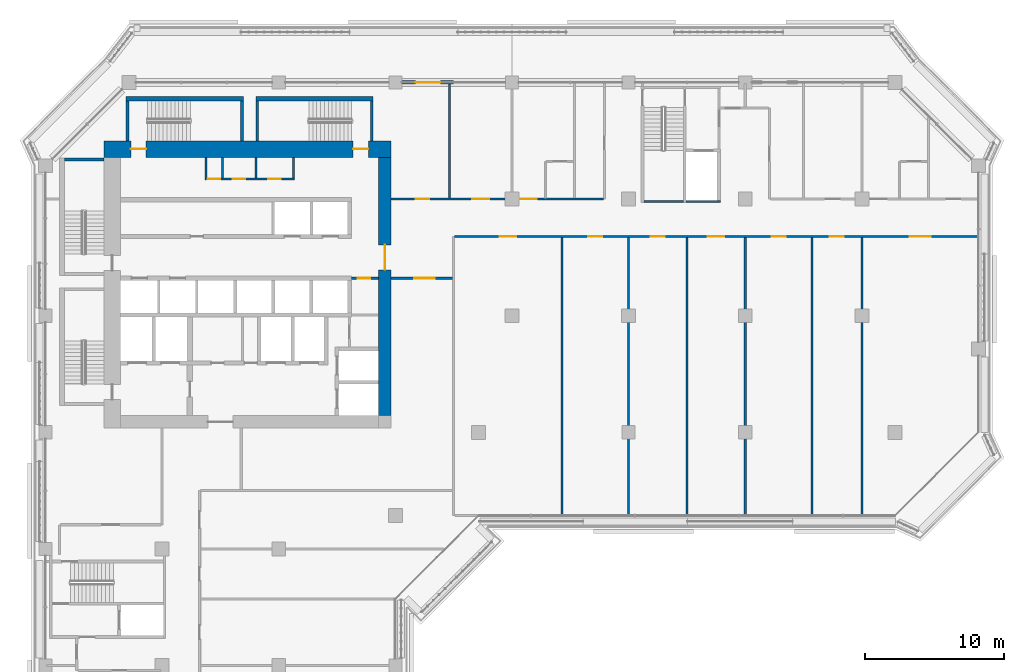
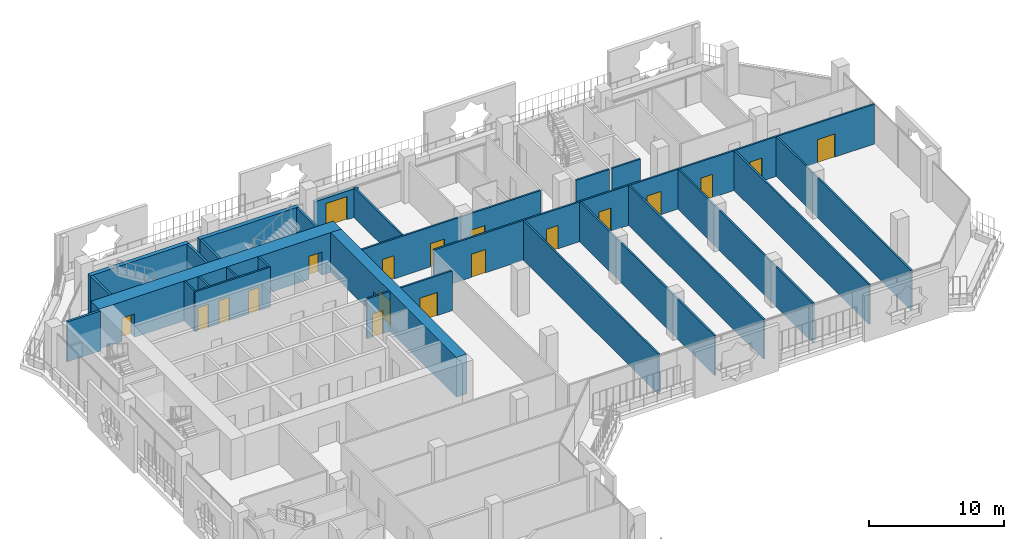
# One storey, part 12 of 22: 28 walls, 19 doors, 19 openings.
"""IFC4 building model written with IfcOpenShell, lengths in metres."""

from ifc_helpers import new_model, si_unit, direction, frame, frame_2d, origin, place, context, subcontext, project, spatial, rectangle, extrude, material, layer, layer_set, type_object, element, fill, save


model = new_model("IFC4")

# Units and contexts
model_context = context("Model", 3, precision=1e-05, world=origin(), true_north=direction((0.0, 1.0)))
body_context = subcontext(model_context, "Body", "Model", "MODEL_VIEW")
ifc_project = project(units=[si_unit("LENGTHUNIT", "METRE"), si_unit("AREAUNIT", "SQUARE_METRE"), si_unit("VOLUMEUNIT", "CUBIC_METRE"), si_unit("PLANEANGLEUNIT", "RADIAN"), si_unit("MASSUNIT", "GRAM", prefix="KILO")], contexts=[model_context])

# Site, building, storey
site_placement = place(None, origin())
site = spatial("IfcSite", under=ifc_project, at=site_placement, CompositionType="ELEMENT")
building_placement = place(site_placement, origin())
building = spatial("IfcBuilding", under=site, at=building_placement, Name="Kawkab Arch Medical Tower", CompositionType="ELEMENT")
storey_placement = place(building_placement, frame((0.0, 0.0, 179.39990234375)))
storey = spatial("IfcBuildingStorey", under=building, at=storey_placement, Name="L41", CompositionType="ELEMENT", Elevation=179.39990234375)

# Wall, openings, doors
ifc_material_1 = material(Name="Concrete C55/67", Category="concrete")
ifc_layer_1 = layer(ifc_material_1, 1.199951171875)
ifc_layer_set_1 = layer_set([ifc_layer_1], Name="Concrete C55/67")
wall_type_1 = type_object("IfcWallType", Name="Core ring wall 1200 C55/67", PredefinedType="SHEAR", material=ifc_layer_set_1)
wall_1_placement = place(storey_placement, frame((4.199951171875, -4.800048828125, 0.0), z_axis=(0.0, 0.0, 1.0), x_axis=(1.0, 0.0, 0.0)))
wall_1 = element("IfcWall", 1, at=wall_1_placement, inside=storey, type_object=wall_type_1, Name="L41 core wall", PredefinedType="SHEAR", context=body_context, shape_type="SweptSolid", body=[
    extrude(rectangle(XDim=20.699951171875, YDim=1.199951171875, at=frame_2d((10.35009765625, 0.0))), origin(), (0.0, 0.0, 1.0), 3.60009765625),
])
opening_1_placement = place(wall_1_placement, frame((1.949951171875, 0.0, 0.0)))
opening_1 = element("IfcOpeningElement", 2, at=opening_1_placement, cuts=wall_1, Name="Opening SD", PredefinedType="OPENING", context=body_context, shape_type="SweptSolid", body=[
    extrude(rectangle(XDim=1.10009765625, YDim=2.10009765625, at=frame_2d((0.550048828125, 1.050048828125))), frame((0.0, 0.60986328125, 0.0), z_axis=(0.0, -1.0, 0.0), x_axis=(1.0, 0.0, 0.0)), (0.0, 0.0, 1.0), 1.219970703125),
])
opening_2_placement = place(wall_1_placement, frame((17.949951171875, 0.0, 0.0)))
opening_2 = element("IfcOpeningElement", 3, at=opening_2_placement, cuts=wall_1, Name="Opening SD", PredefinedType="OPENING", context=body_context, shape_type="SweptSolid", body=[
    extrude(rectangle(XDim=1.10009765625, YDim=2.10009765625, at=frame_2d((0.550048828125, 1.050048828125))), frame((0.0, 0.60986328125, 0.0), z_axis=(0.0, -1.0, 0.0), x_axis=(1.0, 0.0, 0.0)), (0.0, 0.0, 1.0), 1.219970703125),
])
ifc_material_2 = material(Name="Hollow metal fire door leaf")
door_type_1 = type_object("IfcDoorType", Name="Exit stair door 1100", OperationType="SINGLE_SWING_LEFT", PredefinedType="DOOR", material=ifc_material_2)
door_1_placement = place(opening_1_placement, origin())
door_1 = element("IfcDoor", 4, at=door_1_placement, inside=storey, type_object=door_type_1, Name="L41 Exit stair ST3 door", OperationType="SINGLE_SWING_LEFT", OverallHeight=2.10009765625, OverallWidth=1.10009765625, PredefinedType="DOOR", context=body_context, shape_type="SweptSolid", body=[
    extrude(rectangle(XDim=1.10009765625, YDim=2.10009765625, at=frame_2d((0.550048828125, 1.050048828125))), frame((0.0, 0.02490234375, 0.0), z_axis=(0.0, -1.0, 0.0), x_axis=(1.0, 0.0, 0.0)), (0.0, 0.0, 1.0), 0.050048828125),
])
fill(opening_1, door_1)
door_2_placement = place(opening_2_placement, origin())
door_2 = element("IfcDoor", 5, at=door_2_placement, inside=storey, type_object=door_type_1, Name="L41 Exit stair ST4 door", OperationType="SINGLE_SWING_LEFT", OverallHeight=2.10009765625, OverallWidth=1.10009765625, PredefinedType="DOOR", context=body_context, shape_type="SweptSolid", body=[
    extrude(rectangle(XDim=1.10009765625, YDim=2.10009765625, at=frame_2d((0.550048828125, 1.050048828125))), frame((0.0, 0.02490234375, 0.0), z_axis=(0.0, -1.0, 0.0), x_axis=(1.0, 0.0, 0.0)), (0.0, 0.0, 1.0), 0.050048828125),
])
fill(opening_2, door_2)

# Wall, opening, door
ifc_material_3 = material(Name="Concrete C55/67", Category="concrete")
ifc_layer_2 = layer(ifc_material_3, 0.89990234375)
ifc_layer_set_2 = layer_set([ifc_layer_2], Name="Concrete C55/67")
wall_type_2 = type_object("IfcWallType", Name="Core ring wall 900 C55/67", PredefinedType="SHEAR", material=ifc_layer_set_2)
wall_2_placement = place(storey_placement, frame((24.449951171875, -24.0, 0.0), z_axis=(0.0, 0.0, 1.0), x_axis=(0.0, 1.0, 0.0)))
wall_2 = element("IfcWall", 6, at=wall_2_placement, inside=storey, type_object=wall_type_2, Name="L41 core wall", PredefinedType="SHEAR", context=body_context, shape_type="SweptSolid", body=[
    extrude(rectangle(XDim=18.60009765625, YDim=0.89990234375, at=frame_2d((9.300048828125, 0.0))), origin(), (0.0, 0.0, 1.0), 3.60009765625),
])
opening_3_placement = place(wall_2_placement, frame((10.5, 0.0, 0.0)))
opening_3 = element("IfcOpeningElement", 7, at=opening_3_placement, cuts=wall_2, Name="Opening PD", PredefinedType="OPENING", context=body_context, shape_type="SweptSolid", body=[
    extrude(rectangle(XDim=1.800048828125, YDim=2.10009765625, at=frame_2d((0.89990234375, 1.050048828125))), frame((0.0, 0.4599609375, 0.0), z_axis=(0.0, -1.0, 0.0), x_axis=(1.0, 0.0, 0.0)), (0.0, 0.0, 1.0), 0.919921875),
])
ifc_material_4 = material(Name="Hollow metal fire door leaf")
door_type_2 = type_object("IfcDoorType", Name="Core entrance doors 1800", OperationType="DOUBLE_DOOR_SINGLE_SWING", PredefinedType="DOOR", material=ifc_material_4)
door_3_placement = place(opening_3_placement, origin())
door_3 = element("IfcDoor", 8, at=door_3_placement, inside=storey, type_object=door_type_2, Name="L41 East entrance doors", OperationType="DOUBLE_DOOR_SINGLE_SWING", OverallHeight=2.10009765625, OverallWidth=1.800048828125, PredefinedType="DOOR", context=body_context, shape_type="SweptSolid", body=[
    extrude(rectangle(XDim=1.800048828125, YDim=2.10009765625, at=frame_2d((0.89990234375, 1.050048828125))), frame((0.0, 0.02490234375, 0.0), z_axis=(0.0, -1.0, 0.0), x_axis=(1.0, 0.0, 0.0)), (0.0, 0.0, 1.0), 0.050048828125),
])
fill(opening_3, door_3)

ifc_material_5 = material(Name="Gypsum board on steel studs", Category="steel")
ifc_layer_3 = layer(ifc_material_5, 0.14990234375)
ifc_layer_set_3 = layer_set([ifc_layer_3], Name="Gypsum board on steel studs")
wall_type_3 = type_object("IfcWallType", Name="Core room partition 150", PredefinedType="PARTITIONING", material=ifc_layer_set_3)
wall_3_placement = place(storey_placement, frame((22.050048828125, -14.10009765625, 0.0), z_axis=(0.0, 0.0, 1.0), x_axis=(1.0, 0.0, 0.0)))
wall_3 = element("IfcWall", 9, at=wall_3_placement, inside=storey, type_object=wall_type_3, Name="L41 core room partition", PredefinedType="PARTITIONING", context=body_context, shape_type="SweptSolid", body=[
    extrude(rectangle(XDim=1.949951171875, YDim=0.14990234375, at=frame_2d((0.97509765625, 0.0))), origin(), (0.0, 0.0, 1.0), 3.60009765625),
])
opening_4_placement = place(wall_3_placement, frame((0.449951171875, 0.0, 0.0)))
opening_4 = element("IfcOpeningElement", 10, at=opening_4_placement, cuts=wall_3, Name="Opening RD", PredefinedType="OPENING", context=body_context, shape_type="SweptSolid", body=[
    extrude(rectangle(XDim=0.89990234375, YDim=2.10009765625, at=frame_2d((0.449951171875, 1.050048828125))), frame((0.0, 0.0849609375, 0.0), z_axis=(0.0, -1.0, 0.0), x_axis=(1.0, 0.0, 0.0)), (0.0, 0.0, 1.0), 0.169921875),
])
ifc_material_6 = material(Name="Hollow metal fire door leaf")
door_type_3 = type_object("IfcDoorType", Name="Core room door 900", OperationType="SINGLE_SWING_LEFT", PredefinedType="DOOR", material=ifc_material_6)
door_4_placement = place(opening_4_placement, origin())
door_4 = element("IfcDoor", 11, at=door_4_placement, inside=storey, type_object=door_type_3, Name="L41 Comms room door", OperationType="SINGLE_SWING_LEFT", OverallHeight=2.10009765625, OverallWidth=0.89990234375, PredefinedType="DOOR", context=body_context, shape_type="SweptSolid", body=[
    extrude(rectangle(XDim=0.89990234375, YDim=2.10009765625, at=frame_2d((0.449951171875, 1.050048828125))), frame((0.0, 0.02490234375, 0.0), z_axis=(0.0, -1.0, 0.0), x_axis=(1.0, 0.0, 0.0)), (0.0, 0.0, 1.0), 0.050048828125),
])
fill(opening_4, door_4)

# Wall, openings, doors
wall_4_placement = place(storey_placement, frame((11.47509765625, -6.949951171875, 0.0), z_axis=(0.0, 0.0, 1.0), x_axis=(1.0, 0.0, 0.0)))
wall_4 = element("IfcWall", 12, at=wall_4_placement, inside=storey, type_object=wall_type_3, Name="L41 core room partition", PredefinedType="PARTITIONING", context=body_context, shape_type="SweptSolid", body=[
    extrude(rectangle(XDim=6.449951171875, YDim=0.14990234375, at=frame_2d((3.22509765625, 0.0))), origin(), (0.0, 0.0, 1.0), 3.60009765625),
])
opening_5_placement = place(wall_4_placement, frame((0.22509765625, 0.0, 0.0)))
opening_5 = element("IfcOpeningElement", 13, at=opening_5_placement, cuts=wall_4, Name="Opening RD", PredefinedType="OPENING", context=body_context, shape_type="SweptSolid", body=[
    extrude(rectangle(XDim=0.89990234375, YDim=2.10009765625, at=frame_2d((0.449951171875, 1.050048828125))), frame((0.0, 0.0849609375, 0.0), z_axis=(0.0, -1.0, 0.0), x_axis=(1.0, 0.0, 0.0)), (0.0, 0.0, 1.0), 0.169921875),
])
opening_6_placement = place(wall_4_placement, frame((2.02490234375, 0.0, 0.0)))
opening_6 = element("IfcOpeningElement", 14, at=opening_6_placement, cuts=wall_4, Name="Opening RD", PredefinedType="OPENING", context=body_context, shape_type="SweptSolid", body=[
    extrude(rectangle(XDim=0.89990234375, YDim=2.10009765625, at=frame_2d((0.449951171875, 1.050048828125))), frame((0.0, 0.0849609375, 0.0), z_axis=(0.0, -1.0, 0.0), x_axis=(1.0, 0.0, 0.0)), (0.0, 0.0, 1.0), 0.169921875),
])
opening_7_placement = place(wall_4_placement, frame((4.574951171875, 0.0, 0.0)))
opening_7 = element("IfcOpeningElement", 15, at=opening_7_placement, cuts=wall_4, Name="Opening RD", PredefinedType="OPENING", context=body_context, shape_type="SweptSolid", body=[
    extrude(rectangle(XDim=0.89990234375, YDim=2.10009765625, at=frame_2d((0.449951171875, 1.050048828125))), frame((0.0, 0.0849609375, 0.0), z_axis=(0.0, -1.0, 0.0), x_axis=(1.0, 0.0, 0.0)), (0.0, 0.0, 1.0), 0.169921875),
])
door_5_placement = place(opening_5_placement, origin())
door_5 = element("IfcDoor", 16, at=door_5_placement, inside=storey, type_object=door_type_3, Name="L41 Electrical riser room door", OperationType="SINGLE_SWING_LEFT", OverallHeight=2.10009765625, OverallWidth=0.89990234375, PredefinedType="DOOR", context=body_context, shape_type="SweptSolid", body=[
    extrude(rectangle(XDim=0.89990234375, YDim=2.10009765625, at=frame_2d((0.449951171875, 1.050048828125))), frame((0.0, 0.02490234375, 0.0), z_axis=(0.0, -1.0, 0.0), x_axis=(1.0, 0.0, 0.0)), (0.0, 0.0, 1.0), 0.050048828125),
])
fill(opening_5, door_5)
door_6_placement = place(opening_6_placement, origin())
door_6 = element("IfcDoor", 17, at=door_6_placement, inside=storey, type_object=door_type_3, Name="L41 Linen store door", OperationType="SINGLE_SWING_LEFT", OverallHeight=2.10009765625, OverallWidth=0.89990234375, PredefinedType="DOOR", context=body_context, shape_type="SweptSolid", body=[
    extrude(rectangle(XDim=0.89990234375, YDim=2.10009765625, at=frame_2d((0.449951171875, 1.050048828125))), frame((0.0, 0.02490234375, 0.0), z_axis=(0.0, -1.0, 0.0), x_axis=(1.0, 0.0, 0.0)), (0.0, 0.0, 1.0), 0.050048828125),
])
fill(opening_6, door_6)
door_7_placement = place(opening_7_placement, origin())
door_7 = element("IfcDoor", 18, at=door_7_placement, inside=storey, type_object=door_type_3, Name="L41 Clean utility room door", OperationType="SINGLE_SWING_LEFT", OverallHeight=2.10009765625, OverallWidth=0.89990234375, PredefinedType="DOOR", context=body_context, shape_type="SweptSolid", body=[
    extrude(rectangle(XDim=0.89990234375, YDim=2.10009765625, at=frame_2d((0.449951171875, 1.050048828125))), frame((0.0, 0.02490234375, 0.0), z_axis=(0.0, -1.0, 0.0), x_axis=(1.0, 0.0, 0.0)), (0.0, 0.0, 1.0), 0.050048828125),
])
fill(opening_7, door_7)

# Walls
for number, where, z_axis, x_axis, name in (
    (19, (11.550048828125, -6.875, 0.0), (0.0, 0.0, 1.0), (0.0, 1.0, 0.0), "L41 core room partition"),
    (20, (12.75, -6.875, 0.0), (0.0, 0.0, 1.0), (0.0, 1.0, 0.0), "L41 core room partition"),
    (21, (15.14990234375, -6.875, 0.0), (0.0, 0.0, 1.0), (0.0, 1.0, 0.0), "L41 core room partition"),
    (22, (17.85009765625, -6.875, 0.0), (0.0, 0.0, 1.0), (0.0, 1.0, 0.0), "L41 core room partition"),
):
    element("IfcWall", number, at=place(storey_placement, frame(where, z_axis=z_axis, x_axis=x_axis)), inside=storey, type_object=wall_type_3, Name=name, PredefinedType="PARTITIONING", context=body_context, shape_type="SweptSolid", body=[
        extrude(rectangle(XDim=1.47509765625, YDim=0.14990234375, at=frame_2d((0.737548828125, 0.0))), origin(), (0.0, 0.0, 1.0), 3.60009765625),
    ])

# Wall, opening, door
ifc_material_7 = material(Name="Bronze clad insulated wall panel")
ifc_layer_4 = layer(ifc_material_7, 0.25)
ifc_layer_set_4 = layer_set([ifc_layer_4], Name="Bronze clad insulated wall panel")
wall_type_4 = type_object("IfcWallType", Name="External wall bay 250", PredefinedType="SOLIDWALL", material=ifc_layer_set_4)
wall_5_placement = place(storey_placement, frame((29.39990234375, 0.0, 0.0), z_axis=(0.0, 0.0, 1.0), x_axis=(-1.0, 0.0, 0.0)))
wall_5 = element("IfcWall", 23, at=wall_5_placement, inside=storey, type_object=wall_type_4, Name="External wall bay L41.R11.4.2", PredefinedType="SOLIDWALL", context=body_context, shape_type="SweptSolid", body=[
    extrude(rectangle(XDim=3.724853515625, YDim=0.25, at=frame_2d((1.8623046875, 0.0))), origin(), (0.0, 0.0, 1.0), 2.580078125),
])
opening_8_placement = place(wall_5_placement, frame((0.96240234375, 0.0, 0.0)))
opening_8 = element("IfcOpeningElement", 24, at=opening_8_placement, cuts=wall_5, Name="Opening W41-701", PredefinedType="OPENING", context=body_context, shape_type="SweptSolid", body=[
    extrude(rectangle(XDim=1.800048828125, YDim=2.10009765625, at=frame_2d((0.89990234375, 1.050048828125))), frame((0.0, 0.135009765625, 0.0), z_axis=(0.0, -1.0, 0.0), x_axis=(1.0, 0.0, 0.0)), (0.0, 0.0, 1.0), 0.27001953125),
])
ifc_material_8 = material(Name="Bronze anodised aluminium door with tinted glass", Category="aluminium")
door_type_4 = type_object("IfcDoorType", Name="Double external door 1800 x 2100", OperationType="DOUBLE_DOOR_SINGLE_SWING", PredefinedType="DOOR", material=ifc_material_8)
door_8_placement = place(opening_8_placement, origin())
door_8 = element("IfcDoor", 25, at=door_8_placement, inside=storey, type_object=door_type_4, Name="External door L41.R11.4.2", OperationType="DOUBLE_DOOR_SINGLE_SWING", OverallHeight=2.10009765625, OverallWidth=1.800048828125, PredefinedType="DOOR", context=body_context, shape_type="SweptSolid", body=[
    extrude(rectangle(XDim=1.800048828125, YDim=2.10009765625, at=frame_2d((0.89990234375, 1.050048828125))), frame((0.0, 0.02490234375, 0.0), z_axis=(0.0, -1.0, 0.0), x_axis=(1.0, 0.0, 0.0)), (0.0, 0.0, 1.0), 0.050048828125),
])
fill(opening_8, door_8)

ifc_material_9 = material(Name="Gypsum board partition on steel studs, mineral wool", Category="steel")
ifc_layer_5 = layer(ifc_material_9, 0.14990234375)
ifc_layer_set_5 = layer_set([ifc_layer_5], Name="Gypsum board partition on steel studs, mineral wool")
wall_type_5 = type_object("IfcWallType", Name="Partition 150", PredefinedType="PARTITIONING", material=ifc_layer_set_5)
wall_6_placement = place(storey_placement, frame((24.89990234375, -14.10009765625, 0.0), z_axis=(0.0, 0.0, 1.0), x_axis=(1.0, 0.0, 0.0)))
wall_6 = element("IfcWall", 26, at=wall_6_placement, inside=storey, type_object=wall_type_5, Name="Partition 150 w019", PredefinedType="PARTITIONING", context=body_context, shape_type="SweptSolid", body=[
    extrude(rectangle(XDim=4.425048828125, YDim=0.14990234375, at=frame_2d((2.21240234375, 0.0))), origin(), (0.0, 0.0, 1.0), 3.60009765625),
])
opening_9_placement = place(wall_6_placement, frame((1.64990234375, 0.0, 0.0)))
opening_9 = element("IfcOpeningElement", 27, at=opening_9_placement, cuts=wall_6, Name="Opening W41-001", PredefinedType="OPENING", context=body_context, shape_type="SweptSolid", body=[
    extrude(rectangle(XDim=1.5, YDim=2.10009765625, at=frame_2d((0.75, 1.050048828125))), frame((0.0, 0.0849609375, 0.0), z_axis=(0.0, -1.0, 0.0), x_axis=(1.0, 0.0, 0.0)), (0.0, 0.0, 1.0), 0.169921875),
])
ifc_material_10 = material(Name="Hollow metal door leaf")
door_type_5 = type_object("IfcDoorType", Name="Double door 1500x2100 FD30S", OperationType="NOTDEFINED", PredefinedType="DOOR", material=ifc_material_10)
door_9_placement = place(opening_9_placement, origin())
door_9 = element("IfcDoor", 28, at=door_9_placement, inside=storey, type_object=door_type_5, Name="Door W41-001", OperationType="DOUBLE_DOOR_SINGLE_SWING", OverallHeight=2.10009765625, OverallWidth=1.5, PredefinedType="DOOR", context=body_context, shape_type="SweptSolid", body=[
    extrude(rectangle(XDim=1.5, YDim=2.10009765625, at=frame_2d((0.75, 1.050048828125))), frame((0.0, 0.02490234375, 0.0), z_axis=(0.0, -1.0, 0.0), x_axis=(1.0, 0.0, 0.0)), (0.0, 0.0, 1.0), 0.050048828125),
])
fill(opening_9, door_9)

# Wall, openings, doors
wall_7_placement = place(storey_placement, frame((29.47509765625, -11.10009765625, 0.0), z_axis=(0.0, 0.0, 1.0), x_axis=(1.0, 0.0, 0.0)))
wall_7 = element("IfcWall", 29, at=wall_7_placement, inside=storey, type_object=wall_type_5, Name="Partition 150 w020", PredefinedType="PARTITIONING", context=body_context, shape_type="SweptSolid", body=[
    extrude(rectangle(XDim=37.64501953125, YDim=0.14990234375, at=frame_2d((18.822509765625, 0.0))), origin(), (0.0, 0.0, 1.0), 3.60009765625),
])
opening_10_placement = place(wall_7_placement, frame((3.22509765625, 0.0, 0.0)))
opening_10 = element("IfcOpeningElement", 30, at=opening_10_placement, cuts=wall_7, Name="Opening W41-026", PredefinedType="OPENING", context=body_context, shape_type="SweptSolid", body=[
    extrude(rectangle(XDim=1.199951171875, YDim=2.10009765625, at=frame_2d((0.60009765625, 1.050048828125))), frame((0.0, 0.0849609375, 0.0), z_axis=(0.0, -1.0, 0.0), x_axis=(1.0, 0.0, 0.0)), (0.0, 0.0, 1.0), 0.169921875),
])
opening_11_placement = place(wall_7_placement, frame((9.625, 0.0, 0.0)))
opening_11 = element("IfcOpeningElement", 31, at=opening_11_placement, cuts=wall_7, Name="Opening W41-013", PredefinedType="OPENING", context=body_context, shape_type="SweptSolid", body=[
    extrude(rectangle(XDim=1.0, YDim=2.10009765625, at=frame_2d((0.5, 1.050048828125))), frame((0.0, 0.0849609375, 0.0), z_axis=(0.0, -1.0, 0.0), x_axis=(1.0, 0.0, 0.0)), (0.0, 0.0, 1.0), 0.169921875),
])
opening_12_placement = place(wall_7_placement, frame((14.125, 0.0, 0.0)))
opening_12 = element("IfcOpeningElement", 32, at=opening_12_placement, cuts=wall_7, Name="Opening W41-014", PredefinedType="OPENING", context=body_context, shape_type="SweptSolid", body=[
    extrude(rectangle(XDim=1.0, YDim=2.10009765625, at=frame_2d((0.5, 1.050048828125))), frame((0.0, 0.0849609375, 0.0), z_axis=(0.0, -1.0, 0.0), x_axis=(1.0, 0.0, 0.0)), (0.0, 0.0, 1.0), 0.169921875),
])
opening_13_placement = place(wall_7_placement, frame((18.22509765625, 0.0, 0.0)))
opening_13 = element("IfcOpeningElement", 33, at=opening_13_placement, cuts=wall_7, Name="Opening W41-027", PredefinedType="OPENING", context=body_context, shape_type="SweptSolid", body=[
    extrude(rectangle(XDim=1.199951171875, YDim=2.10009765625, at=frame_2d((0.60009765625, 1.050048828125))), frame((0.0, 0.0849609375, 0.0), z_axis=(0.0, -1.0, 0.0), x_axis=(1.0, 0.0, 0.0)), (0.0, 0.0, 1.0), 0.169921875),
])
opening_14_placement = place(wall_7_placement, frame((22.824951171875, 0.0, 0.0)))
opening_14 = element("IfcOpeningElement", 34, at=opening_14_placement, cuts=wall_7, Name="Opening W41-015", PredefinedType="OPENING", context=body_context, shape_type="SweptSolid", body=[
    extrude(rectangle(XDim=1.0, YDim=2.10009765625, at=frame_2d((0.5, 1.050048828125))), frame((0.0, 0.0849609375, 0.0), z_axis=(0.0, -1.0, 0.0), x_axis=(1.0, 0.0, 0.0)), (0.0, 0.0, 1.0), 0.169921875),
])
opening_15_placement = place(wall_7_placement, frame((27.02490234375, 0.0, 0.0)))
opening_15 = element("IfcOpeningElement", 35, at=opening_15_placement, cuts=wall_7, Name="Opening W41-016", PredefinedType="OPENING", context=body_context, shape_type="SweptSolid", body=[
    extrude(rectangle(XDim=1.0, YDim=2.10009765625, at=frame_2d((0.5, 1.050048828125))), frame((0.0, 0.0849609375, 0.0), z_axis=(0.0, -1.0, 0.0), x_axis=(1.0, 0.0, 0.0)), (0.0, 0.0, 1.0), 0.169921875),
])
opening_16_placement = place(wall_7_placement, frame((32.77490234375, 0.0, 0.0)))
opening_16 = element("IfcOpeningElement", 36, at=opening_16_placement, cuts=wall_7, Name="Opening W41-002", PredefinedType="OPENING", context=body_context, shape_type="SweptSolid", body=[
    extrude(rectangle(XDim=1.5, YDim=2.10009765625, at=frame_2d((0.75, 1.050048828125))), frame((0.0, 0.0849609375, 0.0), z_axis=(0.0, -1.0, 0.0), x_axis=(1.0, 0.0, 0.0)), (0.0, 0.0, 1.0), 0.169921875),
])
door_10_placement = place(opening_16_placement, origin())
door_10 = element("IfcDoor", 37, at=door_10_placement, inside=storey, type_object=door_type_5, Name="Door W41-002", OperationType="DOUBLE_DOOR_SINGLE_SWING", OverallHeight=2.10009765625, OverallWidth=1.5, PredefinedType="DOOR", context=body_context, shape_type="SweptSolid", body=[
    extrude(rectangle(XDim=1.5, YDim=2.10009765625, at=frame_2d((0.75, 1.050048828125))), frame((0.0, 0.02490234375, 0.0), z_axis=(0.0, -1.0, 0.0), x_axis=(1.0, 0.0, 0.0)), (0.0, 0.0, 1.0), 0.050048828125),
])
fill(opening_16, door_10)
ifc_material_11 = material(Name="Hollow metal door leaf")
door_type_6 = type_object("IfcDoorType", Name="Single door 1000x2100 FD30S", OperationType="NOTDEFINED", PredefinedType="DOOR", material=ifc_material_11)
door_11_placement = place(opening_11_placement, origin())
door_11 = element("IfcDoor", 38, at=door_11_placement, inside=storey, type_object=door_type_6, Name="Door W41-013", OperationType="SINGLE_SWING_RIGHT", OverallHeight=2.10009765625, OverallWidth=1.0, PredefinedType="DOOR", context=body_context, shape_type="SweptSolid", body=[
    extrude(rectangle(XDim=1.0, YDim=2.10009765625, at=frame_2d((0.5, 1.050048828125))), frame((0.0, 0.02490234375, 0.0), z_axis=(0.0, -1.0, 0.0), x_axis=(1.0, 0.0, 0.0)), (0.0, 0.0, 1.0), 0.050048828125),
])
fill(opening_11, door_11)
door_12_placement = place(opening_12_placement, origin())
door_12 = element("IfcDoor", 39, at=door_12_placement, inside=storey, type_object=door_type_6, Name="Door W41-014", OperationType="SINGLE_SWING_RIGHT", OverallHeight=2.10009765625, OverallWidth=1.0, PredefinedType="DOOR", context=body_context, shape_type="SweptSolid", body=[
    extrude(rectangle(XDim=1.0, YDim=2.10009765625, at=frame_2d((0.5, 1.050048828125))), frame((0.0, 0.02490234375, 0.0), z_axis=(0.0, -1.0, 0.0), x_axis=(1.0, 0.0, 0.0)), (0.0, 0.0, 1.0), 0.050048828125),
])
fill(opening_12, door_12)
door_13_placement = place(opening_14_placement, origin())
door_13 = element("IfcDoor", 40, at=door_13_placement, inside=storey, type_object=door_type_6, Name="Door W41-015", OperationType="SINGLE_SWING_LEFT", OverallHeight=2.10009765625, OverallWidth=1.0, PredefinedType="DOOR", context=body_context, shape_type="SweptSolid", body=[
    extrude(rectangle(XDim=1.0, YDim=2.10009765625, at=frame_2d((0.5, 1.050048828125))), frame((0.0, 0.02490234375, 0.0), z_axis=(0.0, -1.0, 0.0), x_axis=(1.0, 0.0, 0.0)), (0.0, 0.0, 1.0), 0.050048828125),
])
fill(opening_14, door_13)
door_14_placement = place(opening_15_placement, origin())
door_14 = element("IfcDoor", 41, at=door_14_placement, inside=storey, type_object=door_type_6, Name="Door W41-016", OperationType="SINGLE_SWING_LEFT", OverallHeight=2.10009765625, OverallWidth=1.0, PredefinedType="DOOR", context=body_context, shape_type="SweptSolid", body=[
    extrude(rectangle(XDim=1.0, YDim=2.10009765625, at=frame_2d((0.5, 1.050048828125))), frame((0.0, 0.02490234375, 0.0), z_axis=(0.0, -1.0, 0.0), x_axis=(1.0, 0.0, 0.0)), (0.0, 0.0, 1.0), 0.050048828125),
])
fill(opening_15, door_14)
ifc_material_12 = material(Name="Hollow metal door leaf")
door_type_7 = type_object("IfcDoorType", Name="Single door 1200x2100 FD30S", OperationType="NOTDEFINED", PredefinedType="DOOR", material=ifc_material_12)
door_15_placement = place(opening_10_placement, origin())
door_15 = element("IfcDoor", 42, at=door_15_placement, inside=storey, type_object=door_type_7, Name="Door W41-026", OperationType="SINGLE_SWING_RIGHT", OverallHeight=2.10009765625, OverallWidth=1.199951171875, PredefinedType="DOOR", context=body_context, shape_type="SweptSolid", body=[
    extrude(rectangle(XDim=1.199951171875, YDim=2.10009765625, at=frame_2d((0.60009765625, 1.050048828125))), frame((0.0, 0.02490234375, 0.0), z_axis=(0.0, -1.0, 0.0), x_axis=(1.0, 0.0, 0.0)), (0.0, 0.0, 1.0), 0.050048828125),
])
fill(opening_10, door_15)
door_16_placement = place(opening_13_placement, origin())
door_16 = element("IfcDoor", 43, at=door_16_placement, inside=storey, type_object=door_type_7, Name="Door W41-027", OperationType="SINGLE_SWING_RIGHT", OverallHeight=2.10009765625, OverallWidth=1.199951171875, PredefinedType="DOOR", context=body_context, shape_type="SweptSolid", body=[
    extrude(rectangle(XDim=1.199951171875, YDim=2.10009765625, at=frame_2d((0.60009765625, 1.050048828125))), frame((0.0, 0.02490234375, 0.0), z_axis=(0.0, -1.0, 0.0), x_axis=(1.0, 0.0, 0.0)), (0.0, 0.0, 1.0), 0.050048828125),
])
fill(opening_13, door_16)

wall_8_placement = place(storey_placement, frame((24.89990234375, -8.39990234375, 0.0), z_axis=(0.0, 0.0, 1.0), x_axis=(1.0, 0.0, 0.0)))
wall_8 = element("IfcWall", 44, at=wall_8_placement, inside=storey, type_object=wall_type_5, Name="Partition 150 w022", PredefinedType="PARTITIONING", context=body_context, shape_type="SweptSolid", body=[
    extrude(rectangle(XDim=15.281982421875, YDim=0.14990234375, at=frame_2d((7.64111328125, 0.0))), origin(), (0.0, 0.0, 1.0), 3.60009765625),
])
opening_17_placement = place(wall_8_placement, frame((1.75, 0.0, 0.0)))
opening_17 = element("IfcOpeningElement", 45, at=opening_17_placement, cuts=wall_8, Name="Opening W41-008", PredefinedType="OPENING", context=body_context, shape_type="SweptSolid", body=[
    extrude(rectangle(XDim=1.0, YDim=2.10009765625, at=frame_2d((0.5, 1.050048828125))), frame((0.0, 0.0849609375, 0.0), z_axis=(0.0, -1.0, 0.0), x_axis=(1.0, 0.0, 0.0)), (0.0, 0.0, 1.0), 0.169921875),
])
opening_18_placement = place(wall_8_placement, frame((5.85009765625, 0.0, 0.0)))
opening_18 = element("IfcOpeningElement", 46, at=opening_18_placement, cuts=wall_8, Name="Opening W41-023", PredefinedType="OPENING", context=body_context, shape_type="SweptSolid", body=[
    extrude(rectangle(XDim=1.199951171875, YDim=2.10009765625, at=frame_2d((0.60009765625, 1.050048828125))), frame((0.0, 0.0849609375, 0.0), z_axis=(0.0, -1.0, 0.0), x_axis=(1.0, 0.0, 0.0)), (0.0, 0.0, 1.0), 0.169921875),
])
opening_19_placement = place(wall_8_placement, frame((9.300048828125, 0.0, 0.0)))
opening_19 = element("IfcOpeningElement", 47, at=opening_19_placement, cuts=wall_8, Name="Opening W41-024", PredefinedType="OPENING", context=body_context, shape_type="SweptSolid", body=[
    extrude(rectangle(XDim=1.199951171875, YDim=2.10009765625, at=frame_2d((0.60009765625, 1.050048828125))), frame((0.0, 0.0849609375, 0.0), z_axis=(0.0, -1.0, 0.0), x_axis=(1.0, 0.0, 0.0)), (0.0, 0.0, 1.0), 0.169921875),
])
door_17_placement = place(opening_17_placement, origin())
door_17 = element("IfcDoor", 48, at=door_17_placement, inside=storey, type_object=door_type_6, Name="Door W41-008", OperationType="SINGLE_SWING_LEFT", OverallHeight=2.10009765625, OverallWidth=1.0, PredefinedType="DOOR", context=body_context, shape_type="SweptSolid", body=[
    extrude(rectangle(XDim=1.0, YDim=2.10009765625, at=frame_2d((0.5, 1.050048828125))), frame((0.0, 0.02490234375, 0.0), z_axis=(0.0, -1.0, 0.0), x_axis=(1.0, 0.0, 0.0)), (0.0, 0.0, 1.0), 0.050048828125),
])
fill(opening_17, door_17)
door_18_placement = place(opening_18_placement, origin())
door_18 = element("IfcDoor", 49, at=door_18_placement, inside=storey, type_object=door_type_7, Name="Door W41-023", OperationType="SINGLE_SWING_LEFT", OverallHeight=2.10009765625, OverallWidth=1.199951171875, PredefinedType="DOOR", context=body_context, shape_type="SweptSolid", body=[
    extrude(rectangle(XDim=1.199951171875, YDim=2.10009765625, at=frame_2d((0.60009765625, 1.050048828125))), frame((0.0, 0.02490234375, 0.0), z_axis=(0.0, -1.0, 0.0), x_axis=(1.0, 0.0, 0.0)), (0.0, 0.0, 1.0), 0.050048828125),
])
fill(opening_18, door_18)
door_19_placement = place(opening_19_placement, origin())
door_19 = element("IfcDoor", 50, at=door_19_placement, inside=storey, type_object=door_type_7, Name="Door W41-024", OperationType="SINGLE_SWING_RIGHT", OverallHeight=2.10009765625, OverallWidth=1.199951171875, PredefinedType="DOOR", context=body_context, shape_type="SweptSolid", body=[
    extrude(rectangle(XDim=1.199951171875, YDim=2.10009765625, at=frame_2d((0.60009765625, 1.050048828125))), frame((0.0, 0.02490234375, 0.0), z_axis=(0.0, -1.0, 0.0), x_axis=(1.0, 0.0, 0.0)), (0.0, 0.0, 1.0), 0.050048828125),
])
fill(opening_19, door_19)

# Walls
wall_9_placement = place(storey_placement, frame((29.10009765625, -8.324951171875, 0.0), z_axis=(0.0, 0.0, 1.0), x_axis=(0.0, 1.0, 0.0)))
element("IfcWall", 51, at=wall_9_placement, inside=storey, type_object=wall_type_5, Name="Partition 150 w031", PredefinedType="PARTITIONING", context=body_context, shape_type="SweptSolid", body=[
    extrude(rectangle(XDim=8.244873046875, YDim=0.14990234375, at=frame_2d((4.12255859375, 0.0))), origin(), (0.0, 0.0, 1.0), 2.7001953125),
])
for number, where, z_axis, x_axis, name in (
    (52, (37.199951171875, -31.1201171875, 0.0), (0.0, 0.0, 1.0), (0.0, 1.0, 0.0), "Partition 150 w034"),
    (53, (42.0, -31.1201171875, 0.0), (0.0, 0.0, 1.0), (0.0, 1.0, 0.0), "Partition 150 w038"),
    (54, (46.199951171875, -31.1201171875, 0.0), (0.0, 0.0, 1.0), (0.0, 1.0, 0.0), "Partition 150 w040"),
    (55, (50.39990234375, -31.1201171875, 0.0), (0.0, 0.0, 1.0), (0.0, 1.0, 0.0), "Partition 150 w041"),
    (56, (55.199951171875, -31.1201171875, 0.0), (0.0, 0.0, 1.0), (0.0, 1.0, 0.0), "Partition 150 w045"),
    (57, (58.800048828125, -31.1201171875, 0.0), (0.0, 0.0, 1.0), (0.0, 1.0, 0.0), "Partition 150 w046"),
):
    element("IfcWall", number, at=place(storey_placement, frame(where, z_axis=z_axis, x_axis=x_axis)), inside=storey, type_object=wall_type_5, Name=name, PredefinedType="PARTITIONING", context=body_context, shape_type="SweptSolid", body=[
        extrude(rectangle(XDim=19.945068359375, YDim=0.14990234375, at=frame_2d((9.97265625, 0.0))), origin(), (0.0, 0.0, 1.0), 3.60009765625),
    ])
ifc_material_13 = material(Name="Concrete C50/60", Category="concrete")
ifc_layer_6 = layer(ifc_material_13, 0.14990234375)
ifc_layer_set_6 = layer_set([ifc_layer_6], Name="Concrete C50/60")
wall_type_6 = type_object("IfcWallType", Name="Stair enclosure wall 150 C50/60", PredefinedType="SHEAR", material=ifc_layer_set_6)
wall_10_placement = place(storey_placement, frame((43.10009765625, -8.574951171875, 0.0), z_axis=(0.0, 0.0, 1.0), x_axis=(1.0, 0.0, 0.0)))
element("IfcWall", 58, at=wall_10_placement, inside=storey, type_object=wall_type_6, Name="L41 stair enclosure wall", PredefinedType="SHEAR", context=body_context, shape_type="SweptSolid", body=[
    extrude(rectangle(XDim=2.849853515625, YDim=0.14990234375, at=frame_2d((1.4248046875, 0.0))), origin(), (0.0, 0.0, 1.0), 3.60009765625),
])
wall_11_placement = place(storey_placement, frame((46.14990234375, -8.574951171875, 0.0), z_axis=(0.0, 0.0, 1.0), x_axis=(1.0, 0.0, 0.0)))
element("IfcWall", 59, at=wall_11_placement, inside=storey, type_object=wall_type_6, Name="L41 stair enclosure wall", PredefinedType="SHEAR", context=body_context, shape_type="SweptSolid", body=[
    extrude(rectangle(XDim=2.4501953125, YDim=0.14990234375, at=frame_2d((1.22509765625, 0.0))), origin(), (0.0, 0.0, 1.0), 3.60009765625),
])
ifc_material_14 = material(Name="Concrete C50/60", Category="concrete")
ifc_layer_7 = layer(ifc_material_14, 0.199951171875)
ifc_layer_set_7 = layer_set([ifc_layer_7], Name="Concrete C50/60")
wall_type_7 = type_object("IfcWallType", Name="Stair enclosure wall 200 C50/60", PredefinedType="SHEAR", material=ifc_layer_set_7)
for number, where, z_axis, x_axis, name in (
    (60, (1.35009765625, -5.550048828125, 0.0), (0.0, 0.0, 1.0), (1.0, 0.0, 0.0), "L41 stair enclosure wall"),
    (61, (5.89990234375, -4.199951171875, 0.0), (0.0, 0.0, 1.0), (0.0, 1.0, 0.0), "L41 stair enclosure wall"),
    (62, (14.14990234375, -4.199951171875, 0.0), (0.0, 0.0, 1.0), (0.0, 1.0, 0.0), "L41 stair enclosure wall"),
    (63, (15.25, -4.199951171875, 0.0), (0.0, 0.0, 1.0), (0.0, 1.0, 0.0), "L41 stair enclosure wall"),
    (64, (23.5, -4.199951171875, 0.0), (0.0, 0.0, 1.0), (0.0, 1.0, 0.0), "L41 stair enclosure wall"),
):
    element("IfcWall", number, at=place(storey_placement, frame(where, z_axis=z_axis, x_axis=x_axis)), inside=storey, type_object=wall_type_7, Name=name, PredefinedType="SHEAR", context=body_context, shape_type="SweptSolid", body=[
        extrude(rectangle(XDim=2.849853515625, YDim=0.199951171875, at=frame_2d((1.4248046875, 0.0))), origin(), (0.0, 0.0, 1.0), 3.60009765625),
    ])
ifc_material_15 = material(Name="Concrete C50/60", Category="concrete")
ifc_layer_8 = layer(ifc_material_15, 0.35009765625)
ifc_layer_set_8 = layer_set([ifc_layer_8], Name="Concrete C50/60")
wall_type_8 = type_object("IfcWallType", Name="Stair enclosure wall 350 C50/60", PredefinedType="SHEAR", material=ifc_layer_set_8)
wall_12_placement = place(storey_placement, frame((5.800048828125, -1.175048828125, 0.0), z_axis=(0.0, 0.0, 1.0), x_axis=(1.0, 0.0, 0.0)))
element("IfcWall", 65, at=wall_12_placement, inside=storey, type_object=wall_type_8, Name="L41 stair enclosure wall", PredefinedType="SHEAR", context=body_context, shape_type="SweptSolid", body=[
    extrude(rectangle(XDim=8.449951171875, YDim=0.35009765625, at=frame_2d((4.22509765625, 0.0))), origin(), (0.0, 0.0, 1.0), 3.60009765625),
])
wall_13_placement = place(storey_placement, frame((15.14990234375, -1.175048828125, 0.0), z_axis=(0.0, 0.0, 1.0), x_axis=(1.0, 0.0, 0.0)))
element("IfcWall", 66, at=wall_13_placement, inside=storey, type_object=wall_type_8, Name="L41 stair enclosure wall", PredefinedType="SHEAR", context=body_context, shape_type="SweptSolid", body=[
    extrude(rectangle(XDim=8.4501953125, YDim=0.35009765625, at=frame_2d((4.22509765625, 0.0))), origin(), (0.0, 0.0, 1.0), 3.60009765625),
])

save(model, "model.ifc")
